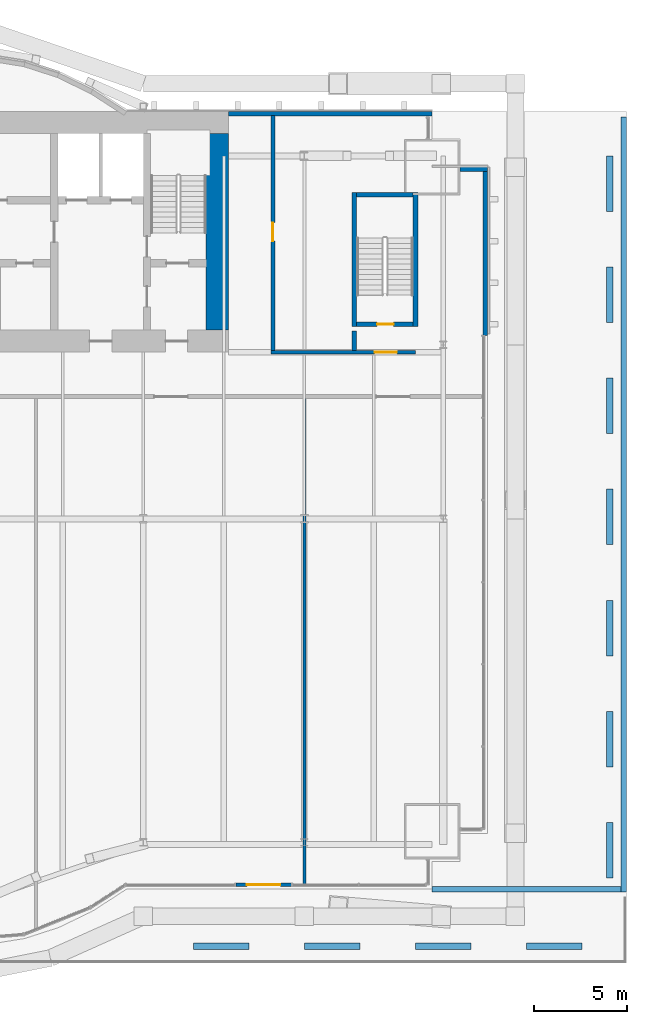
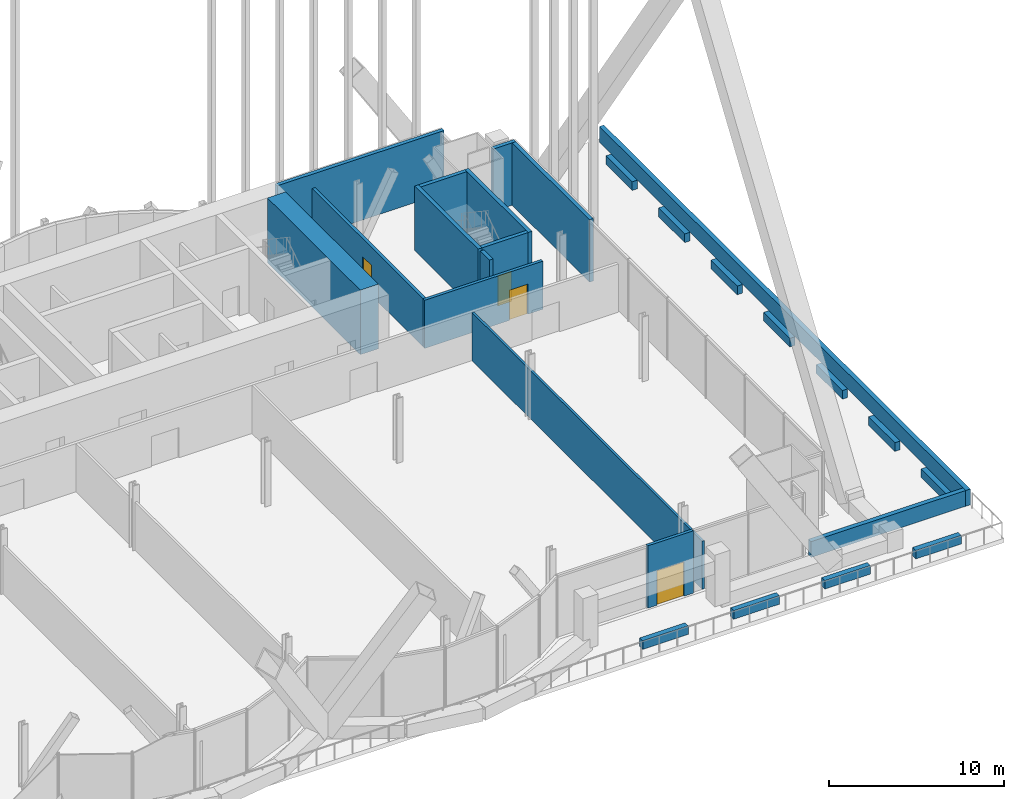
# One storey, part 26 of 29: 26 walls, 4 doors, 4 openings.
"""IFC4 building model written with IfcOpenShell, lengths in metres."""

from ifc_helpers import new_model, si_unit, direction, frame, frame_2d, origin, place, context, subcontext, project, spatial, rectangle, extrude, material, layer, layer_set, layer_usage, type_object, element, fill, save


model = new_model("IFC4")

# Units and contexts
model_context = context("Model", 3, precision=1e-05, world=origin(), true_north=direction((0.0, 1.0)))
body_context = subcontext(model_context, "Body", "Model", "MODEL_VIEW")
ifc_project = project(units=[si_unit("LENGTHUNIT", "METRE"), si_unit("AREAUNIT", "SQUARE_METRE"), si_unit("VOLUMEUNIT", "CUBIC_METRE"), si_unit("PLANEANGLEUNIT", "RADIAN"), si_unit("MASSUNIT", "GRAM", prefix="KILO")], contexts=[model_context])

# Site, building, storey
site_placement = place(None, origin())
site = spatial("IfcSite", under=ifc_project, at=site_placement, CompositionType="ELEMENT")
building_placement = place(site_placement, origin())
building = spatial("IfcBuilding", under=site, at=building_placement, Name="Bicima Exchange Tower", CompositionType="ELEMENT")
storey_placement = place(building_placement, frame((0.0, 0.0, 35.0)))
storey = spatial("IfcBuildingStorey", under=building, at=storey_placement, Name="L06", CompositionType="ELEMENT", Elevation=35.0)

# Wall, opening, door
ifc_material_1 = material(Name="Concrete C40/50", Category="concrete")
ifc_layer_1 = layer(ifc_material_1, 0.2)
ifc_layer_set_1 = layer_set([ifc_layer_1], Name="Concrete C40/50")
ifc_layer_usage_1 = layer_usage(ifc_layer_set_1, "AXIS2", "POSITIVE", -0.1)
wall_type_1 = type_object("IfcWallType", Name="Entrance frame wall 200", PredefinedType="STANDARD", material=ifc_layer_set_1)
wall_1_placement = place(storey_placement, frame((25.39990234375, -41.77001953125, 0.0), z_axis=(0.0, 0.0, 1.0), x_axis=(-1.0, 0.0, 0.0)))
wall_1 = element("IfcWall", 1, at=wall_1_placement, inside=storey, type_object=wall_type_1, material=ifc_layer_usage_1, Name="Roof terrace door frame wall L06", PredefinedType="STANDARD", context=body_context, shape_type="SweptSolid", body=[
    extrude(rectangle(XDim=3.0, YDim=0.199951171875, at=frame_2d((1.5, 0.0))), origin(), (0.0, 0.0, 1.0), 4.35009765625),
])
opening_1_placement = place(wall_1_placement, frame((0.60009765625, 0.0, 0.0)))
opening_1 = element("IfcOpeningElement", 2, at=opening_1_placement, cuts=wall_1, Name="Opening DX4", PredefinedType="OPENING", context=body_context, shape_type="SweptSolid", body=[
    extrude(rectangle(XDim=1.800048828125, YDim=2.39990234375, at=frame_2d((0.89990234375, 1.199951171875))), frame((0.0, 0.11181640625, 0.0), z_axis=(0.0, -1.0, 0.0), x_axis=(1.0, 0.0, 0.0)), (0.0, 0.0, 1.0), 0.223876953125),
])
ifc_material_2 = material(Name="Anodised bronze aluminium and bonded safety glass", Category="aluminium")
door_type_1 = type_object("IfcDoorType", Name="Roof terrace door, double leaf 1800 x 2400", OperationType="DOUBLE_DOOR_DOUBLE_SWING", PredefinedType="DOOR", material=ifc_material_2)
door_1_placement = place(opening_1_placement, origin())
door_1 = element("IfcDoor", 3, at=door_1_placement, inside=storey, type_object=door_type_1, Name="Roof terrace door door L06", OperationType="SINGLE_SWING_LEFT", OverallHeight=2.39990234375, OverallWidth=1.800048828125, PredefinedType="DOOR", context=body_context, shape_type="SweptSolid", body=[
    extrude(rectangle(XDim=1.800048828125, YDim=2.39990234375, at=frame_2d((0.89990234375, 1.199951171875))), frame((0.0, 0.02490234375, 0.0), z_axis=(0.0, -1.0, 0.0), x_axis=(1.0, 0.0, 0.0)), (0.0, 0.0, 1.0), 0.050048828125),
])
fill(opening_1, door_1)

ifc_material_3 = material(Name="Gypsum board partition")
ifc_layer_2 = layer(ifc_material_3, 0.199951171875)
ifc_layer_set_2 = layer_set([ifc_layer_2], Name="Gypsum board partition")
wall_type_2 = type_object("IfcWallType", Name="Fire-rated gypsum partition 200 EI60", PredefinedType="PARTITIONING", material=ifc_layer_set_2)
wall_2_placement = place(storey_placement, frame((24.300048828125, -13.0, 0.0), z_axis=(0.0, 0.0, 1.0), x_axis=(1.0, 0.0, 0.0)))
wall_2 = element("IfcWall", 4, at=wall_2_placement, inside=storey, type_object=wall_type_2, Name="partition wall 5", PredefinedType="PARTITIONING", context=body_context, shape_type="SweptSolid", body=[
    extrude(rectangle(XDim=7.800048828125, YDim=0.199951171875, at=frame_2d((3.89990234375, 0.0))), origin(), (0.0, 0.0, 1.0), 3.359619140625),
])
opening_2_placement = place(wall_2_placement, frame((5.60009765625, 0.0, 0.0)))
opening_2 = element("IfcOpeningElement", 5, at=opening_2_placement, cuts=wall_2, Name="Opening L06-003", PredefinedType="OPENING", context=body_context, shape_type="SweptSolid", body=[
    extrude(rectangle(XDim=1.199951171875, YDim=2.10009765625, at=frame_2d((0.60009765625, 1.050048828125))), frame((0.0, 0.11181640625, 0.0), z_axis=(0.0, -1.0, 0.0), x_axis=(1.0, 0.0, 0.0)), (0.0, 0.0, 1.0), 0.223876953125),
])
ifc_material_4 = material(Name="Steel fire door leaf", Category="steel")
door_type_2 = type_object("IfcDoorType", Name="Door 1200 swing FD30S", OperationType="SINGLE_SWING_LEFT", PredefinedType="DOOR", material=ifc_material_4)
door_2_placement = place(opening_2_placement, origin())
door_2 = element("IfcDoor", 6, at=door_2_placement, inside=storey, type_object=door_type_2, Name="Door", OperationType="SINGLE_SWING_RIGHT", OverallHeight=2.10009765625, OverallWidth=1.199951171875, PredefinedType="DOOR", context=body_context, shape_type="SweptSolid", body=[
    extrude(rectangle(XDim=1.199951171875, YDim=2.10009765625, at=frame_2d((0.60009765625, 1.050048828125))), frame((0.0, 0.02490234375, 0.0), z_axis=(0.0, -1.0, 0.0), x_axis=(1.0, 0.0, 0.0)), (0.0, 0.0, 1.0), 0.050048828125),
])
fill(opening_2, door_2)

wall_3_placement = place(storey_placement, frame((24.39990234375, -12.89990234375, 0.0), z_axis=(0.0, 0.0, 1.0), x_axis=(0.0, 1.0, 0.0)))
wall_3 = element("IfcWall", 7, at=wall_3_placement, inside=storey, type_object=wall_type_2, Name="partition wall 25", PredefinedType="PARTITIONING", context=body_context, shape_type="SweptSolid", body=[
    extrude(rectangle(XDim=12.68994140625, YDim=0.199951171875, at=frame_2d((6.344970703125, 0.0))), origin(), (0.0, 0.0, 1.0), 3.359619140625),
])
opening_3_placement = place(wall_3_placement, frame((5.89990234375, 0.0, 0.0)))
opening_3 = element("IfcOpeningElement", 8, at=opening_3_placement, cuts=wall_3, Name="Opening L06-006", PredefinedType="OPENING", context=body_context, shape_type="SweptSolid", body=[
    extrude(rectangle(XDim=1.0, YDim=2.10009765625, at=frame_2d((0.5, 1.050048828125))), frame((0.0, 0.11181640625, 0.0), z_axis=(0.0, -1.0, 0.0), x_axis=(1.0, 0.0, 0.0)), (0.0, 0.0, 1.0), 0.223876953125),
])
door_type_3 = type_object("IfcDoorType", Name="Door 1000 swing FD30S", OperationType="SINGLE_SWING_LEFT", PredefinedType="DOOR", material=ifc_material_4)
door_3_placement = place(opening_3_placement, frame((1.0, 0.0, 0.0), z_axis=(0.0, 0.0, 1.0), x_axis=(-1.0, 0.0, 0.0)))
door_3 = element("IfcDoor", 9, at=door_3_placement, inside=storey, type_object=door_type_3, Name="Door", OperationType="SINGLE_SWING_RIGHT", OverallHeight=2.10009765625, OverallWidth=1.0, PredefinedType="DOOR", context=body_context, shape_type="SweptSolid", body=[
    extrude(rectangle(XDim=1.0, YDim=2.10009765625, at=frame_2d((0.5, 1.050048828125))), frame((0.0, 0.02490234375, 0.0), z_axis=(0.0, -1.0, 0.0), x_axis=(1.0, 0.0, 0.0)), (0.0, 0.0, 1.0), 0.050048828125),
])
fill(opening_3, door_3)

# Walls
ifc_layer_3 = layer(ifc_material_3, 0.14990234375)
ifc_layer_set_3 = layer_set([ifc_layer_3], Name="Gypsum board partition")
wall_type_3 = type_object("IfcWallType", Name="Gypsum partition 150", PredefinedType="PARTITIONING", material=ifc_layer_set_3)
wall_4_placement = place(storey_placement, frame((26.10009765625, -41.7900390625, 0.0), z_axis=(0.0, 0.0, 1.0), x_axis=(0.0, 1.0, 0.0)))
element("IfcWall", 10, at=wall_4_placement, inside=storey, type_object=wall_type_3, Name="partition wall 26", PredefinedType="PARTITIONING", context=body_context, shape_type="SweptSolid", body=[
    extrude(rectangle(XDim=26.2900390625, YDim=0.14990234375, at=frame_2d((13.14501953125, 0.0))), origin(), (0.0, 0.0, 1.0), 3.359619140625),
])
ifc_material_5 = material(Name="Concrete C30/37", Category="concrete")
ifc_layer_4 = layer(ifc_material_5, 0.35)
ifc_layer_set_4 = layer_set([ifc_layer_4], Name="Concrete C30/37")
ifc_layer_usage_2 = layer_usage(ifc_layer_set_4, "AXIS2", "POSITIVE", -0.175)
wall_type_4 = type_object("IfcWallType", Name="PLANTER box 350 x 3000", PredefinedType="USERDEFINED", material=ifc_layer_set_4)
for number, where, z_axis, x_axis, name in (
    (11, (42.60009765625, -2.39990234375, 0.0), (0.0, 0.0, 1.0), (0.0, -1.0, 0.0), "Podium roof planter 13"),
    (12, (42.60009765625, -8.39990234375, 0.0), (0.0, 0.0, 1.0), (0.0, -1.0, 0.0), "Podium roof planter 14"),
    (13, (42.60009765625, -14.39990234375, 0.0), (0.0, 0.0, 1.0), (0.0, -1.0, 0.0), "Podium roof planter 15"),
    (14, (42.60009765625, -20.39990234375, 0.0), (0.0, 0.0, 1.0), (0.0, -1.0, 0.0), "Podium roof planter 16"),
    (15, (42.60009765625, -26.39990234375, 0.0), (0.0, 0.0, 1.0), (0.0, -1.0, 0.0), "Podium roof planter 17"),
    (16, (42.60009765625, -32.39990234375, 0.0), (0.0, 0.0, 1.0), (0.0, -1.0, 0.0), "Podium roof planter 18"),
    (17, (42.60009765625, -38.39990234375, 0.0), (0.0, 0.0, 1.0), (0.0, -1.0, 0.0), "Podium roof planter 19"),
    (18, (41.10009765625, -45.10009765625, 0.0), (0.0, 0.0, 1.0), (-1.0, 0.0, 0.0), "Podium roof planter 20"),
    (19, (35.10009765625, -45.10009765625, 0.0), (0.0, 0.0, 1.0), (-1.0, 0.0, 0.0), "Podium roof planter 21"),
    (20, (29.10009765625, -45.10009765625, 0.0), (0.0, 0.0, 1.0), (-1.0, 0.0, 0.0), "Podium roof planter 22"),
    (21, (23.10009765625, -45.10009765625, 0.0), (0.0, 0.0, 1.0), (-1.0, 0.0, 0.0), "Podium roof planter 23"),
):
    element("IfcWall", number, at=place(storey_placement, frame(where, z_axis=z_axis, x_axis=x_axis)), inside=storey, type_object=wall_type_4, material=ifc_layer_usage_2, Name=name, ObjectType="PLANTER", PredefinedType="USERDEFINED", context=body_context, shape_type="SweptSolid", body=[
        extrude(rectangle(XDim=3.0, YDim=0.35009765625, at=frame_2d((1.5, 0.0))), origin(), (0.0, 0.0, 1.0), 0.60009765625),
    ])
ifc_material_6 = material(Name="Concrete C60/75", Category="concrete")
ifc_layer_5 = layer(ifc_material_6, 1.199951171875)
ifc_layer_set_5 = layer_set([ifc_layer_5], Name="Concrete C60/75")
wall_type_5 = type_object("IfcWallType", Name="RC core wall 1200 C60/75", PredefinedType="SHEAR", material=ifc_layer_set_5)
wall_5_placement = place(storey_placement, frame((21.39990234375, -11.800048828125, 0.0), z_axis=(0.0, 0.0, 1.0), x_axis=(0.0, 1.0, 0.0)))
element("IfcWall", 22, at=wall_5_placement, inside=storey, type_object=wall_type_5, Name="Core wall east", PredefinedType="SHEAR", context=body_context, shape_type="SweptSolid", body=[
    extrude(rectangle(XDim=10.60009765625, YDim=1.199951171875, at=frame_2d((5.300048828125, 0.0))), origin(), (0.0, 0.0, 1.0), 4.5),
])
ifc_material_7 = material(Name="Concrete C50/60", Category="concrete")
ifc_layer_6 = layer(ifc_material_7, 0.25)
ifc_layer_set_6 = layer_set([ifc_layer_6], Name="Concrete C50/60")
wall_type_6 = type_object("IfcWallType", Name="RC core wall 250 C50/60", PredefinedType="SHEAR", material=ifc_layer_set_6)
wall_6_placement = place(storey_placement, frame((28.800048828125, -12.89990234375, 0.0), z_axis=(0.0, 0.0, 1.0), x_axis=(0.0, 1.0, 0.0)))
element("IfcWall", 23, at=wall_6_placement, inside=storey, type_object=wall_type_6, Name="stair wall 27", PredefinedType="SHEAR", context=body_context, shape_type="SweptSolid", body=[
    extrude(rectangle(XDim=1.0498046875, YDim=0.25, at=frame_2d((0.52490234375, 0.0))), origin(), (0.0, 0.0, 1.0), 4.5),
])
ifc_layer_7 = layer(ifc_material_7, 0.25)
ifc_layer_set_7 = layer_set([ifc_layer_7], Name="Concrete C50/60")
wall_type_7 = type_object("IfcWallType", Name="RC stair enclosure wall 250 C50/60", PredefinedType="SHEAR", material=ifc_layer_set_7)
for number, where, z_axis, x_axis, name in (
    (24, (28.800048828125, -11.625, 0.0), (0.0, 0.0, 1.0), (0.0, 1.0, 0.0), "East end exit stair wall W"),
    (25, (32.10009765625, -11.625, 0.0), (0.0, 0.0, 1.0), (0.0, 1.0, 0.0), "East end exit stair wall E"),
):
    element("IfcWall", number, at=place(storey_placement, frame(where, z_axis=z_axis, x_axis=x_axis)), inside=storey, type_object=wall_type_7, Name=name, PredefinedType="SHEAR", context=body_context, shape_type="SweptSolid", body=[
        extrude(rectangle(XDim=7.25, YDim=0.25, at=frame_2d((3.625, 0.0))), origin(), (0.0, 0.0, 1.0), 4.5),
    ])

# Wall, opening, door
wall_7_placement = place(storey_placement, frame((28.925048828125, -11.5, 0.0), z_axis=(0.0, 0.0, 1.0), x_axis=(1.0, 0.0, 0.0)))
wall_7 = element("IfcWall", 26, at=wall_7_placement, inside=storey, type_object=wall_type_7, Name="East end exit stair wall S", PredefinedType="SHEAR", context=body_context, shape_type="SweptSolid", body=[
    extrude(rectangle(XDim=3.050048828125, YDim=0.25, at=frame_2d((1.52490234375, 0.0))), origin(), (0.0, 0.0, 1.0), 4.5),
])
opening_4_placement = place(wall_7_placement, frame((1.10009765625, 0.0, 0.0)))
opening_4 = element("IfcOpeningElement", 27, at=opening_4_placement, cuts=wall_7, Name="Opening L06-004", PredefinedType="OPENING", context=body_context, shape_type="SweptSolid", body=[
    extrude(rectangle(XDim=0.89990234375, YDim=2.10009765625, at=frame_2d((0.449951171875, 1.050048828125))), frame((0.0, 0.136962890625, 0.0), z_axis=(0.0, -1.0, 0.0), x_axis=(1.0, 0.0, 0.0)), (0.0, 0.0, 1.0), 0.27392578125),
])
door_type_4 = type_object("IfcDoorType", Name="Door 900 swing FD60S", OperationType="SINGLE_SWING_LEFT", PredefinedType="DOOR", material=ifc_material_4)
door_4_placement = place(opening_4_placement, origin())
door_4 = element("IfcDoor", 28, at=door_4_placement, inside=storey, type_object=door_type_4, Name="Door", OperationType="SINGLE_SWING_LEFT", OverallHeight=2.10009765625, OverallWidth=0.89990234375, PredefinedType="DOOR", context=body_context, shape_type="SweptSolid", body=[
    extrude(rectangle(XDim=0.89990234375, YDim=2.10009765625, at=frame_2d((0.449951171875, 1.050048828125))), frame((0.0, 0.02490234375, 0.0), z_axis=(0.0, -1.0, 0.0), x_axis=(1.0, 0.0, 0.0)), (0.0, 0.0, 1.0), 0.050048828125),
])
fill(opening_4, door_4)

# Walls
wall_8_placement = place(storey_placement, frame((28.925048828125, -4.5, 0.0), z_axis=(0.0, 0.0, 1.0), x_axis=(1.0, 0.0, 0.0)))
element("IfcWall", 29, at=wall_8_placement, inside=storey, type_object=wall_type_7, Name="East end exit stair wall N", PredefinedType="SHEAR", context=body_context, shape_type="SweptSolid", body=[
    extrude(rectangle(XDim=3.050048828125, YDim=0.25, at=frame_2d((1.52490234375, 0.0))), origin(), (0.0, 0.0, 1.0), 4.5),
])
ifc_layer_8 = layer(ifc_material_1, 0.25)
ifc_layer_set_8 = layer_set([ifc_layer_8], Name="Concrete C40/50")
ifc_layer_usage_3 = layer_usage(ifc_layer_set_8, "AXIS2", "POSITIVE", -0.125)
wall_type_8 = type_object("IfcWallType", Name="Rear backup wall 250", PredefinedType="STANDARD", material=ifc_layer_set_8)
wall_9_placement = place(storey_placement, frame((33.0, -0.125, 0.0), z_axis=(0.0, 0.0, 1.0), x_axis=(-1.0, 0.0, 0.0)))
element("IfcWall", 30, at=wall_9_placement, inside=storey, type_object=wall_type_8, material=ifc_layer_usage_3, Name="Rear backup wall L06 1", PredefinedType="STANDARD", context=body_context, shape_type="SweptSolid", body=[
    extrude(rectangle(XDim=11.0, YDim=0.25, at=frame_2d((5.5, 0.0))), origin(), (0.0, 0.0, 1.0), 4.35009765625),
])
wall_10_placement = place(storey_placement, frame((35.875, -12.090087890625, 0.0), z_axis=(0.0, 0.0, 1.0), x_axis=(0.0, 1.0, 0.0)))
element("IfcWall", 31, at=wall_10_placement, inside=storey, type_object=wall_type_8, material=ifc_layer_usage_3, Name="Rear backup wall L06 50", PredefinedType="STANDARD", context=body_context, shape_type="SweptSolid", body=[
    extrude(rectangle(XDim=9.090087890625, YDim=0.25, at=frame_2d((4.544921875, 0.0))), origin(), (0.0, 0.0, 1.0), 4.35009765625),
])
wall_11_placement = place(storey_placement, frame((36.0, -3.125, 0.0), z_axis=(0.0, 0.0, 1.0), x_axis=(-1.0, 0.0, 0.0)))
element("IfcWall", 32, at=wall_11_placement, inside=storey, type_object=wall_type_8, material=ifc_layer_usage_3, Name="Rear backup wall L06 51", PredefinedType="STANDARD", context=body_context, shape_type="SweptSolid", body=[
    extrude(rectangle(XDim=1.5, YDim=0.25, at=frame_2d((0.75, 0.0))), origin(), (0.0, 0.0, 1.0), 4.35009765625),
])
ifc_layer_9 = layer(ifc_material_1, 0.3)
ifc_layer_set_9 = layer_set([ifc_layer_9], Name="Concrete C40/50")
ifc_layer_usage_4 = layer_usage(ifc_layer_set_9, "AXIS2", "POSITIVE", -0.15)
wall_type_9 = type_object("IfcWallType", Name="Roof garden parapet 300", PredefinedType="PARAPET", material=ifc_layer_set_9)
wall_12_placement = place(storey_placement, frame((43.35009765625, -42.14990234375, 0.0), z_axis=(0.0, 0.0, 1.0), x_axis=(0.0, 1.0, 0.0)))
element("IfcWall", 33, at=wall_12_placement, inside=storey, type_object=wall_type_9, material=ifc_layer_usage_4, Name="Roof garden parapet east outer", PredefinedType="PARAPET", context=body_context, shape_type="SweptSolid", body=[
    extrude(rectangle(XDim=41.849853515625, YDim=0.300048828125, at=frame_2d((20.9248046875, 0.0))), origin(), (0.0, 0.0, 1.0), 1.10009765625),
])
wall_13_placement = place(storey_placement, frame((33.0, -42.0, 0.0), z_axis=(0.0, 0.0, 1.0), x_axis=(1.0, 0.0, 0.0)))
element("IfcWall", 34, at=wall_13_placement, inside=storey, type_object=wall_type_9, material=ifc_layer_usage_4, Name="Roof garden parapet east front", PredefinedType="PARAPET", context=body_context, shape_type="SweptSolid", body=[
    extrude(rectangle(XDim=10.199951171875, YDim=0.300048828125, at=frame_2d((5.10009765625, 0.0))), origin(), (0.0, 0.0, 1.0), 1.10009765625),
])

save(model, "model.ifc")
